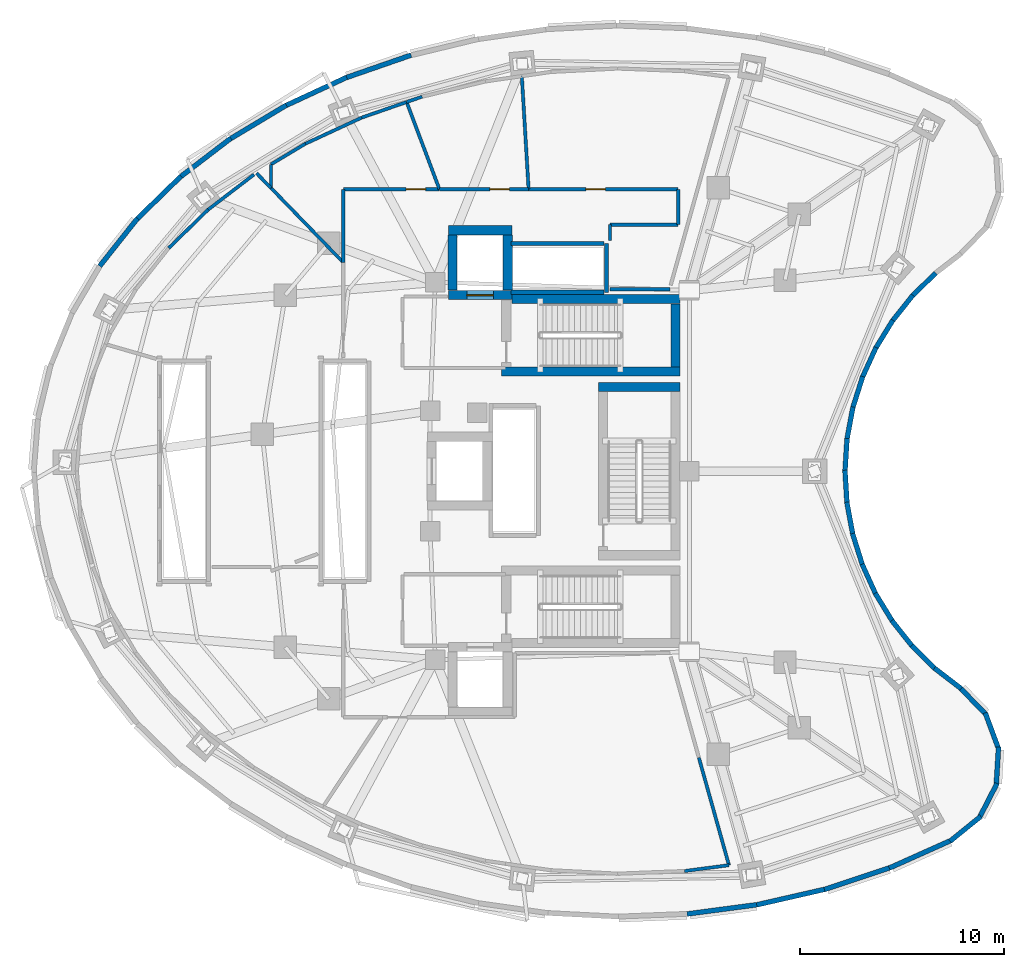
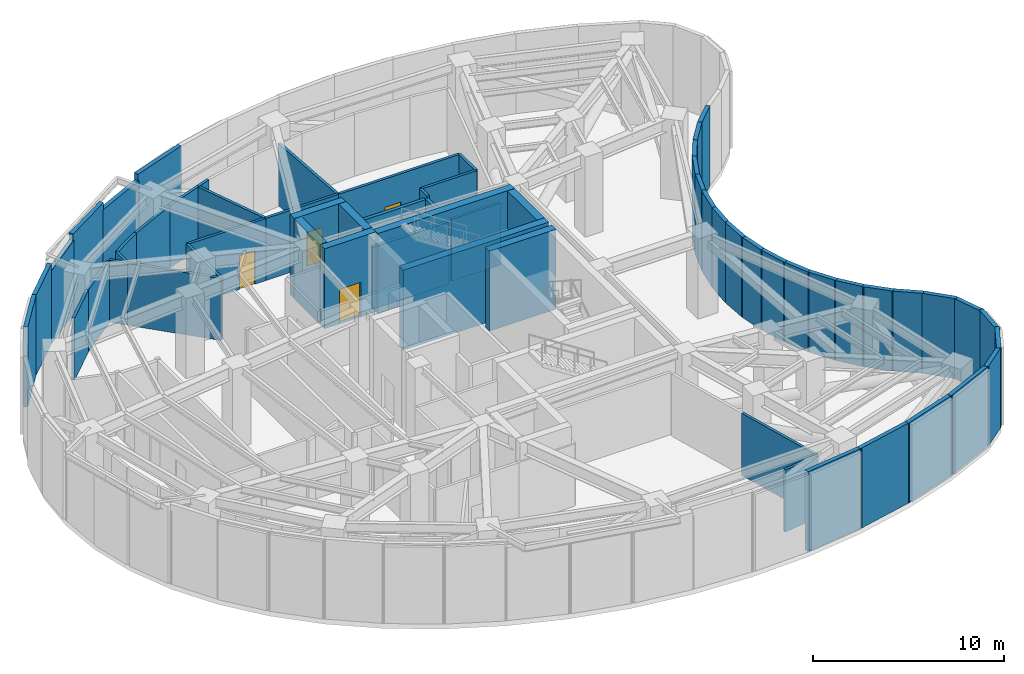
# One storey, part 6 of 10: 62 walls, 4 doors, 4 openings.
"""IFC4 building model written with IfcOpenShell, lengths in metres."""

from ifc_helpers import new_model, si_unit, direction, frame, frame_2d, origin, place, context, subcontext, project, spatial, rectangle, extrude, material, layer, layer_set, type_object, element, fill, save


model = new_model("IFC4")

# Units and contexts
model_context = context("Model", 3, precision=1e-05, world=origin(), true_north=direction((0.0, 1.0)))
body_context = subcontext(model_context, "Body", "Model", "MODEL_VIEW")
ifc_project = project(units=[si_unit("LENGTHUNIT", "METRE"), si_unit("AREAUNIT", "SQUARE_METRE"), si_unit("VOLUMEUNIT", "CUBIC_METRE"), si_unit("PLANEANGLEUNIT", "RADIAN"), si_unit("MASSUNIT", "GRAM", prefix="KILO")], contexts=[model_context])

# Site, building, storey
site_placement = place(None, origin())
site = spatial("IfcSite", under=ifc_project, at=site_placement, CompositionType="ELEMENT")
building_placement = place(site_placement, origin())
building = spatial("IfcBuilding", under=site, at=building_placement, Name="Korentha Bioscience Tower", CompositionType="ELEMENT")
storey_placement = place(building_placement, frame((0.0, 0.0, 84.60009765625)))
storey = spatial("IfcBuildingStorey", under=building, at=storey_placement, Name="L19", CompositionType="ELEMENT", Elevation=84.60009765625)

# Wall, opening, door
ifc_material_1 = material(Name="Gypsum-Clad Steel Stud", Category="steel")
ifc_layer_1 = layer(ifc_material_1, 0.159912109375, Name="Gypsum-Clad Steel Stud")
ifc_layer_set_1 = layer_set([ifc_layer_1], Name="Gypsum-Clad Steel Stud (IW-C160)")
wall_type_1 = type_object("IfcWallType", Name="Fire-Rated Corridor Partition Wall 160", PredefinedType="PARTITIONING", material=ifc_layer_set_1)
wall_1_placement = place(storey_placement, frame((37.0, 40.81005859375, 0.0), z_axis=(0.0, 0.0, 1.0), x_axis=(-1.0, 0.0, 0.0)))
wall_1 = element("IfcWall", 1, at=wall_1_placement, inside=storey, type_object=wall_type_1, Name="L19 Domestic and Fire Booster Water Pump Plant 03 Entrance Wall", PredefinedType="PARTITIONING", context=body_context, shape_type="SweptSolid", body=[
    extrude(rectangle(XDim=7.325927734375, YDim=0.159912109375, at=frame_2d((3.6630859375, 0.0))), origin(), (0.0, 0.0, 1.0), 3.9599609375),
])
opening_1_placement = place(wall_1_placement, frame((3.570068359375, 0.0, 0.0)))
opening_1 = element("IfcOpeningElement", 2, at=opening_1_placement, cuts=wall_1, Name="Opening FD-120D", PredefinedType="OPENING", context=body_context, shape_type="SweptSolid", body=[
    extrude(rectangle(XDim=0.949951171875, YDim=2.14990234375, at=frame_2d((0.47509765625, 1.074951171875))), frame((0.0, 0.0947265625, 0.0), z_axis=(0.0, -1.0, 0.0), x_axis=(1.0, 0.0, 0.0)), (0.0, 0.0, 1.0), 0.189697265625),
])
ifc_material_2 = material(Name="Heavy-Duty Insulated Steel", Category="steel")
door_type_1 = type_object("IfcDoorType", Name="Plant & Riser Fire Door 950x2150 Left", OperationType="SINGLE_SWING_LEFT", PredefinedType="DOOR", material=ifc_material_2)
door_1_placement = place(opening_1_placement, origin())
door_1 = element("IfcDoor", 3, at=door_1_placement, inside=storey, type_object=door_type_1, Name="L19 Domestic and Fire Booster Water Pump Plant 03 Door", OperationType="SINGLE_SWING_LEFT", OverallHeight=2.14990234375, OverallWidth=0.949951171875, PredefinedType="DOOR", context=body_context, shape_type="SweptSolid", body=[
    extrude(rectangle(XDim=0.949951171875, YDim=2.14990234375, at=frame_2d((0.47509765625, 1.074951171875))), frame((0.0, 0.02490234375, 0.0), z_axis=(0.0, -1.0, 0.0), x_axis=(1.0, 0.0, 0.0)), (0.0, 0.0, 1.0), 0.050048828125),
])
fill(opening_1, door_1)

wall_2_placement = place(storey_placement, frame((29.6640625, 40.81005859375, 0.0), z_axis=(0.0, 0.0, 1.0), x_axis=(-1.0, 0.0, 0.0)))
wall_2 = element("IfcWall", 4, at=wall_2_placement, inside=storey, type_object=wall_type_1, Name="L19 Refuge Safe Holding Room Entrance Wall", PredefinedType="PARTITIONING", context=body_context, shape_type="SweptSolid", body=[
    extrude(rectangle(XDim=4.359130859375, YDim=0.159912109375, at=frame_2d((2.1796875, 0.0))), origin(), (0.0, 0.0, 1.0), 3.9599609375),
])
opening_2_placement = place(wall_2_placement, frame((0.93408203125, 0.0, 0.0)))
opening_2 = element("IfcOpeningElement", 5, at=opening_2_placement, cuts=wall_2, Name="Opening FD-120D", PredefinedType="OPENING", context=body_context, shape_type="SweptSolid", body=[
    extrude(rectangle(XDim=0.949951171875, YDim=2.14990234375, at=frame_2d((0.47509765625, 1.074951171875))), frame((0.0, 0.0947265625, 0.0), z_axis=(0.0, -1.0, 0.0), x_axis=(1.0, 0.0, 0.0)), (0.0, 0.0, 1.0), 0.189697265625),
])
door_2_placement = place(opening_2_placement, origin())
door_2 = element("IfcDoor", 6, at=door_2_placement, inside=storey, type_object=door_type_1, Name="L19 Refuge Safe Holding Room Door", OperationType="SINGLE_SWING_LEFT", OverallHeight=2.14990234375, OverallWidth=0.949951171875, PredefinedType="DOOR", context=body_context, shape_type="SweptSolid", body=[
    extrude(rectangle(XDim=0.949951171875, YDim=2.14990234375, at=frame_2d((0.47509765625, 1.074951171875))), frame((0.0, 0.02490234375, 0.0), z_axis=(0.0, -1.0, 0.0), x_axis=(1.0, 0.0, 0.0)), (0.0, 0.0, 1.0), 0.050048828125),
])
fill(opening_2, door_2)

wall_3_placement = place(storey_placement, frame((25.294189453125, 40.81005859375, 0.0), z_axis=(0.0, 0.0, 1.0), x_axis=(-1.0, 0.0, 0.0)))
wall_3 = element("IfcWall", 7, at=wall_3_placement, inside=storey, type_object=wall_type_1, Name="L19 Medium-Voltage Transformer Electrical Switch Plant 05 Entrance Wall", PredefinedType="PARTITIONING", context=body_context, shape_type="SweptSolid", body=[
    extrude(rectangle(XDim=4.694091796875, YDim=0.159912109375, at=frame_2d((2.34716796875, 0.0))), origin(), (0.0, 0.0, 1.0), 3.9599609375),
])
opening_3_placement = place(wall_3_placement, frame((0.664306640625, 0.0, 0.0)))
opening_3 = element("IfcOpeningElement", 8, at=opening_3_placement, cuts=wall_3, Name="Opening FD-120D", PredefinedType="OPENING", context=body_context, shape_type="SweptSolid", body=[
    extrude(rectangle(XDim=0.949951171875, YDim=2.14990234375, at=frame_2d((0.47509765625, 1.074951171875))), frame((0.0, 0.0947265625, 0.0), z_axis=(0.0, -1.0, 0.0), x_axis=(1.0, 0.0, 0.0)), (0.0, 0.0, 1.0), 0.189697265625),
])
door_3_placement = place(opening_3_placement, origin())
door_3 = element("IfcDoor", 9, at=door_3_placement, inside=storey, type_object=door_type_1, Name="L19 Medium-Voltage Transformer Electrical Switch Plant 05 Door", OperationType="SINGLE_SWING_LEFT", OverallHeight=2.14990234375, OverallWidth=0.949951171875, PredefinedType="DOOR", context=body_context, shape_type="SweptSolid", body=[
    extrude(rectangle(XDim=0.949951171875, YDim=2.14990234375, at=frame_2d((0.47509765625, 1.074951171875))), frame((0.0, 0.02490234375, 0.0), z_axis=(0.0, -1.0, 0.0), x_axis=(1.0, 0.0, 0.0)), (0.0, 0.0, 1.0), 0.050048828125),
])
fill(opening_3, door_3)

# Walls
wall_4_placement = place(storey_placement, frame((38.015380859375, 12.96142578125, 0.0), z_axis=(0.0, 0.0, 1.0), x_axis=(0.269459423955, -0.963011743875, 0.0)))
element("IfcWall", 10, at=wall_4_placement, inside=storey, type_object=wall_type_1, Name="L19 Interior Partition 035", PredefinedType="PARTITIONING", context=body_context, shape_type="SweptSolid", body=[
    extrude(rectangle(XDim=5.470703125, YDim=0.159912109375, at=frame_2d((2.7353515625, 0.0))), origin(), (0.0, 0.0, 1.0), 3.9599609375),
])
wall_5_placement = place(storey_placement, frame((39.489501953125, 7.693115234375, 0.0), z_axis=(0.0, 0.0, 1.0), x_axis=(-0.991360288821, -0.131166984214, 0.0)))
element("IfcWall", 11, at=wall_5_placement, inside=storey, type_object=wall_type_1, Name="L19 Interior Partition 036", PredefinedType="PARTITIONING", context=body_context, shape_type="SweptSolid", body=[
    extrude(rectangle(XDim=2.1982421875, YDim=0.159912109375, at=frame_2d((1.09912109375, 0.0))), origin(), (0.0, 0.0, 1.0), 3.9599609375),
])
wall_6_placement = place(storey_placement, frame((36.602294921875, 35.909912109375, 0.0), z_axis=(0.0, 0.0, 1.0), x_axis=(-1.0, 0.0, 0.0)))
element("IfcWall", 12, at=wall_6_placement, inside=storey, type_object=wall_type_1, Name="L19 Interior Partition 048", PredefinedType="PARTITIONING", context=body_context, shape_type="SweptSolid", body=[
    extrude(rectangle(XDim=2.952392578125, YDim=0.159912109375, at=frame_2d((1.47607421875, 0.0))), origin(), (0.0, 0.0, 1.0), 3.9599609375),
])
wall_7_placement = place(storey_placement, frame((33.659912109375, 38.2900390625, 0.0), z_axis=(0.0, 0.0, 1.0), x_axis=(0.0, 1.0, 0.0)))
element("IfcWall", 13, at=wall_7_placement, inside=storey, type_object=wall_type_1, Name="L19 Interior Partition 049", PredefinedType="PARTITIONING", context=body_context, shape_type="SweptSolid", body=[
    extrude(rectangle(XDim=0.780029296875, YDim=0.159912109375, at=frame_2d((0.39013671875, 0.0))), origin(), (0.0, 0.0, 1.0), 3.9599609375),
])
wall_8_placement = place(storey_placement, frame((33.659912109375, 39.070068359375, 0.0), z_axis=(0.0, 0.0, 1.0), x_axis=(1.0, 0.0, 0.0)))
element("IfcWall", 14, at=wall_8_placement, inside=storey, type_object=wall_type_1, Name="L19 Interior Partition 050", PredefinedType="PARTITIONING", context=body_context, shape_type="SweptSolid", body=[
    extrude(rectangle(XDim=3.340087890625, YDim=0.159912109375, at=frame_2d((1.669921875, 0.0))), origin(), (0.0, 0.0, 1.0), 3.9599609375),
])
wall_9_placement = place(storey_placement, frame((37.010009765625, 39.080078125, 0.0), z_axis=(0.0, 0.0, 1.0), x_axis=(0.0, 1.0, 0.0)))
element("IfcWall", 15, at=wall_9_placement, inside=storey, type_object=wall_type_1, Name="L19 Interior Partition 051", PredefinedType="PARTITIONING", context=body_context, shape_type="SweptSolid", body=[
    extrude(rectangle(XDim=1.719970703125, YDim=0.159912109375, at=frame_2d((0.85986328125, 0.0))), origin(), (0.0, 0.0, 1.0), 3.9599609375),
])
wall_10_placement = place(storey_placement, frame((29.674072265625, 40.81005859375, 0.0), z_axis=(0.0, 0.0, 1.0), x_axis=(-0.059828293561, 0.998208683237, 0.0)))
element("IfcWall", 16, at=wall_10_placement, inside=storey, type_object=wall_type_1, Name="L19 Interior Partition 052", PredefinedType="PARTITIONING", context=body_context, shape_type="SweptSolid", body=[
    extrude(rectangle(XDim=5.5498046875, YDim=0.159912109375, at=frame_2d((2.77490234375, 0.0))), origin(), (0.0, 0.0, 1.0), 3.9599609375),
])
wall_11_placement = place(storey_placement, frame((25.304931640625, 40.81005859375, 0.0), z_axis=(0.0, 0.0, 1.0), x_axis=(-0.352231602854, 0.935912868781, 0.0)))
element("IfcWall", 17, at=wall_11_placement, inside=storey, type_object=wall_type_1, Name="L19 Interior Partition 056", PredefinedType="PARTITIONING", context=body_context, shape_type="SweptSolid", body=[
    extrude(rectangle(XDim=4.562255859375, YDim=0.159912109375, at=frame_2d((2.28125, 0.0))), origin(), (0.0, 0.0, 1.0), 3.9599609375),
])
wall_12_placement = place(storey_placement, frame((23.697998046875, 45.079833984375, 0.0), z_axis=(0.0, 0.0, 1.0), x_axis=(0.944804754022, 0.327633906637, 0.0)))
element("IfcWall", 18, at=wall_12_placement, inside=storey, type_object=wall_type_1, Name="L19 Interior Partition 057", PredefinedType="PARTITIONING", context=body_context, shape_type="SweptSolid", body=[
    extrude(rectangle(XDim=0.801025390625, YDim=0.159912109375, at=frame_2d((0.400390625, 0.0))), origin(), (0.0, 0.0, 1.0), 3.9599609375),
])
wall_13_placement = place(storey_placement, frame((21.4990234375, 44.31787109375, 0.0), z_axis=(0.0, 0.0, 1.0), x_axis=(0.944877053464, 0.327425340859, 0.0)))
element("IfcWall", 19, at=wall_13_placement, inside=storey, type_object=wall_type_1, Name="L19 Interior Partition 059", PredefinedType="PARTITIONING", context=body_context, shape_type="SweptSolid", body=[
    extrude(rectangle(XDim=2.3173828125, YDim=0.159912109375, at=frame_2d((1.15869140625, 0.0))), origin(), (0.0, 0.0, 1.0), 3.9599609375),
])
wall_14_placement = place(storey_placement, frame((20.590087890625, 40.800048828125, 0.0), z_axis=(0.0, 0.0, 1.0), x_axis=(0.0, -1.0, 0.0)))
element("IfcWall", 20, at=wall_14_placement, inside=storey, type_object=wall_type_1, Name="L19 Interior Partition 060", PredefinedType="PARTITIONING", context=body_context, shape_type="SweptSolid", body=[
    extrude(rectangle(XDim=3.576416015625, YDim=0.159912109375, at=frame_2d((1.7880859375, 0.0))), origin(), (0.0, 0.0, 1.0), 3.9599609375),
])
wall_15_placement = place(storey_placement, frame((20.590087890625, 37.2236328125, 0.0), z_axis=(0.0, 0.0, 1.0), x_axis=(-0.696094823364, 0.717949856805, 0.0)))
element("IfcWall", 21, at=wall_15_placement, inside=storey, type_object=wall_type_1, Name="L19 Interior Partition 061", PredefinedType="PARTITIONING", context=body_context, shape_type="SweptSolid", body=[
    extrude(rectangle(XDim=5.082763671875, YDim=0.159912109375, at=frame_2d((2.54150390625, 0.0))), origin(), (0.0, 0.0, 1.0), 3.9599609375),
])
wall_16_placement = place(storey_placement, frame((17.052001953125, 40.872802734375, 0.0), z_axis=(0.0, 0.0, 1.0), x_axis=(0.0, 1.0, 0.0)))
element("IfcWall", 22, at=wall_16_placement, inside=storey, type_object=wall_type_1, Name="L19 Interior Partition 062", PredefinedType="PARTITIONING", context=body_context, shape_type="SweptSolid", body=[
    extrude(rectangle(XDim=1.153076171875, YDim=0.159912109375, at=frame_2d((0.57666015625, 0.0))), origin(), (0.0, 0.0, 1.0), 3.9599609375),
])
wall_17_placement = place(storey_placement, frame((17.052001953125, 42.02587890625, 0.0), z_axis=(0.0, 0.0, 1.0), x_axis=(0.857525745267, 0.514441052214, 0.0)))
element("IfcWall", 23, at=wall_17_placement, inside=storey, type_object=wall_type_1, Name="L19 Interior Partition 063", PredefinedType="PARTITIONING", context=body_context, shape_type="SweptSolid", body=[
    extrude(rectangle(XDim=1.968994140625, YDim=0.159912109375, at=frame_2d((0.984375, 0.0))), origin(), (0.0, 0.0, 1.0), 3.9599609375),
])
wall_18_placement = place(storey_placement, frame((18.740478515625, 43.038818359375, 0.0), z_axis=(0.0, 0.0, 1.0), x_axis=(0.907222430233, 0.420651235684, 0.0)))
element("IfcWall", 24, at=wall_18_placement, inside=storey, type_object=wall_type_1, Name="L19 Interior Partition 064", PredefinedType="PARTITIONING", context=body_context, shape_type="SweptSolid", body=[
    extrude(rectangle(XDim=3.04052734375, YDim=0.159912109375, at=frame_2d((1.520263671875, 0.0))), origin(), (0.0, 0.0, 1.0), 3.9599609375),
])
wall_19_placement = place(storey_placement, frame((12.039306640625, 37.923828125, 0.0), z_axis=(0.0, 0.0, 1.0), x_axis=(0.716117399469, 0.697979849407, 0.0)))
element("IfcWall", 25, at=wall_19_placement, inside=storey, type_object=wall_type_1, Name="L19 Interior Partition 068", PredefinedType="PARTITIONING", context=body_context, shape_type="SweptSolid", body=[
    extrude(rectangle(XDim=2.70556640625, YDim=0.159912109375, at=frame_2d((1.352783203125, 0.0))), origin(), (0.0, 0.0, 1.0), 3.9599609375),
])
wall_20_placement = place(storey_placement, frame((13.977294921875, 39.8125, 0.0), z_axis=(0.0, 0.0, 1.0), x_axis=(0.794468240787, 0.607305700928, 0.0)))
element("IfcWall", 26, at=wall_20_placement, inside=storey, type_object=wall_type_1, Name="L19 Interior Partition 069", PredefinedType="PARTITIONING", context=body_context, shape_type="SweptSolid", body=[
    extrude(rectangle(XDim=2.823974609375, YDim=0.159912109375, at=frame_2d((1.412109375, 0.0))), origin(), (0.0, 0.0, 1.0), 3.9599609375),
])
wall_21_placement = place(storey_placement, frame((16.341552734375, 41.599609375, 0.0), z_axis=(0.0, 0.0, 1.0), x_axis=(0.696104152684, -0.71794081136, 0.0)))
element("IfcWall", 27, at=wall_21_placement, inside=storey, type_object=wall_type_1, Name="L19 Interior Partition 070", PredefinedType="PARTITIONING", context=body_context, shape_type="SweptSolid", body=[
    extrude(rectangle(XDim=1.00634765625, YDim=0.159912109375, at=frame_2d((0.503173828125, 0.0))), origin(), (0.0, 0.0, 1.0), 3.9599609375),
])
ifc_material_3 = material(Name="Autoclaved Aerated Concrete Block C25", Category="concrete")
ifc_layer_2 = layer(ifc_material_3, 0.199951171875, Name="Autoclaved Aerated Concrete Block C25")
ifc_layer_set_2 = layer_set([ifc_layer_2], Name="Autoclaved Aerated Concrete Block C25 (IW-S200)")
wall_type_2 = type_object("IfcWallType", Name="Lift and Riser Shaft Enclosure Wall 200", PredefinedType="PARTITIONING", material=ifc_layer_set_2)
wall_22_placement = place(storey_placement, frame((33.489990234375, 35.760009765625, 0.0), z_axis=(0.0, 0.0, 1.0), x_axis=(0.0, 1.0, 0.0)))
element("IfcWall", 28, at=wall_22_placement, inside=storey, type_object=wall_type_2, Name="L19 Lift Bank OBS Shaft Wall +X", PredefinedType="PARTITIONING", context=body_context, shape_type="SweptSolid", body=[
    extrude(rectangle(XDim=2.3798828125, YDim=0.199951171875, at=frame_2d((1.18994140625, 0.0))), origin(), (0.0, 0.0, 1.0), 3.9599609375),
])
for number, where, z_axis, x_axis, name in (
    (29, (28.800048828125, 35.760009765625, 0.0), (0.0, 0.0, 1.0), (1.0, 0.0, 0.0), "L19 Lift Bank OBS Shaft Wall -Y"),
    (30, (28.800048828125, 38.139892578125, 0.0), (0.0, 0.0, 1.0), (1.0, 0.0, 0.0), "L19 Lift Bank OBS Shaft Wall +Y"),
):
    element("IfcWall", number, at=place(storey_placement, frame(where, z_axis=z_axis, x_axis=x_axis)), inside=storey, type_object=wall_type_2, Name=name, PredefinedType="PARTITIONING", context=body_context, shape_type="SweptSolid", body=[
        extrude(rectangle(XDim=4.570068359375, YDim=0.199951171875, at=frame_2d((2.28515625, 0.0))), origin(), (0.0, 0.0, 1.0), 3.9599609375),
    ])
ifc_material_4 = material(Name="Concrete C80", Category="concrete")
ifc_layer_3 = layer(ifc_material_4, 0.449951171875, Name="Concrete C80")
ifc_layer_set_3 = layer_set([ifc_layer_3], Name="Concrete C80 (CW-C80)")
wall_type_3 = type_object("IfcWallType", Name="Lower Core Shear Wall 450", PredefinedType="SHEAR", material=ifc_layer_set_3)
wall_23_placement = place(storey_placement, frame((28.85205078125, 35.425048828125, 0.0), z_axis=(0.0, 0.0, 1.0), x_axis=(1.0, 0.0, 0.0)))
element("IfcWall", 31, at=wall_23_placement, inside=storey, type_object=wall_type_3, Name="L19 Core Shear Wall ST1-N", PredefinedType="SHEAR", context=body_context, shape_type="SweptSolid", body=[
    extrude(rectangle(XDim=8.248046875, YDim=0.449951171875, at=frame_2d((4.1240234375, 0.0))), origin(), (0.0, 0.0, 1.0), 5.099853515625),
])
wall_24_placement = place(storey_placement, frame((28.35009765625, 31.875, 0.0), z_axis=(0.0, 0.0, 1.0), x_axis=(1.0, 0.0, 0.0)))
element("IfcWall", 32, at=wall_24_placement, inside=storey, type_object=wall_type_3, Name="L19 Core Shear Wall ST1-S", PredefinedType="SHEAR", context=body_context, shape_type="SweptSolid", body=[
    extrude(rectangle(XDim=8.75, YDim=0.449951171875, at=frame_2d((4.375, 0.0))), origin(), (0.0, 0.0, 1.0), 5.099853515625),
])
wall_25_placement = place(storey_placement, frame((36.875, 32.110107421875, 0.0), z_axis=(0.0, 0.0, 1.0), x_axis=(0.0, 1.0, 0.0)))
element("IfcWall", 33, at=wall_25_placement, inside=storey, type_object=wall_type_3, Name="L19 Core Shear Wall ST1-E", PredefinedType="SHEAR", context=body_context, shape_type="SweptSolid", body=[
    extrude(rectangle(XDim=3.079833984375, YDim=0.449951171875, at=frame_2d((1.5400390625, 0.0))), origin(), (0.0, 0.0, 1.0), 5.099853515625),
])
wall_26_placement = place(storey_placement, frame((33.10009765625, 31.125, 0.0), z_axis=(0.0, 0.0, 1.0), x_axis=(1.0, 0.0, 0.0)))
element("IfcWall", 34, at=wall_26_placement, inside=storey, type_object=wall_type_3, Name="L19 Core Shear Wall ST3-N", PredefinedType="SHEAR", context=body_context, shape_type="SweptSolid", body=[
    extrude(rectangle(XDim=4.0, YDim=0.449951171875, at=frame_2d((2.0, 0.0))), origin(), (0.0, 0.0, 1.0), 5.099853515625),
])
wall_27_placement = place(storey_placement, frame((25.75, 38.800048828125, 0.0), z_axis=(0.0, 0.0, 1.0), x_axis=(1.0, 0.0, 0.0)))
element("IfcWall", 35, at=wall_27_placement, inside=storey, type_object=wall_type_3, Name="L19 Core Shear Wall FFL2-N", PredefinedType="SHEAR", context=body_context, shape_type="SweptSolid", body=[
    extrude(rectangle(XDim=3.10009765625, YDim=0.449951171875, at=frame_2d((1.550048828125, 0.0))), origin(), (0.0, 0.0, 1.0), 5.099853515625),
])

# Wall, opening, door
wall_28_placement = place(storey_placement, frame((25.75, 35.6201171875, 0.0), z_axis=(0.0, 0.0, 1.0), x_axis=(1.0, 0.0, 0.0)))
wall_28 = element("IfcWall", 36, at=wall_28_placement, inside=storey, type_object=wall_type_3, Name="L19 Core Shear Wall FFL2-S", PredefinedType="SHEAR", context=body_context, shape_type="SweptSolid", body=[
    extrude(rectangle(XDim=3.10009765625, YDim=0.449951171875, at=frame_2d((1.550048828125, 0.0))), origin(), (0.0, 0.0, 1.0), 5.099853515625),
])
opening_4_placement = place(wall_28_placement, frame((0.89990234375, 0.0, 0.0)))
opening_4 = element("IfcOpeningElement", 37, at=opening_4_placement, cuts=wall_28, Name="Opening LD-13", PredefinedType="OPENING", context=body_context, shape_type="SweptSolid", body=[
    extrude(rectangle(XDim=1.300048828125, YDim=2.199951171875, at=frame_2d((0.64990234375, 1.10009765625))), frame((0.0, 0.23974609375, 0.0), z_axis=(0.0, -1.0, 0.0), x_axis=(1.0, 0.0, 0.0)), (0.0, 0.0, 1.0), 0.479736328125),
])
ifc_material_5 = material(Name="Brushed Stainless Steel 316", Category="steel")
door_type_2 = type_object("IfcDoorType", Name="Service & Firefighting Lift Landing Door 1300x2300", OperationType="DOUBLE_DOOR_SLIDING", PredefinedType="DOOR", material=ifc_material_5)
door_4_placement = place(opening_4_placement, origin())
door_4 = element("IfcDoor", 38, at=door_4_placement, inside=storey, type_object=door_type_2, Name="L19 FFL-2 Sliding Lift Landing Door", OperationType="DOUBLE_DOOR_SLIDING", OverallHeight=2.199951171875, OverallWidth=1.300048828125, PredefinedType="DOOR", context=body_context, shape_type="SweptSolid", body=[
    extrude(rectangle(XDim=1.300048828125, YDim=2.199951171875, at=frame_2d((0.64990234375, 1.10009765625))), frame((0.0, 0.02490234375, 0.0), z_axis=(0.0, -1.0, 0.0), x_axis=(1.0, 0.0, 0.0)), (0.0, 0.0, 1.0), 0.050048828125),
])
fill(opening_4, door_4)

# Walls
for number, where, z_axis, x_axis, name in (
    (39, (25.949951171875, 35.860107421875, 0.0), (0.0, 0.0, 1.0), (0.0, 1.0, 0.0), "L19 Core Shear Wall FFL2-W"),
    (40, (28.64990234375, 35.860107421875, 0.0), (0.0, 0.0, 1.0), (0.0, 1.0, 0.0), "L19 Core Shear Wall FFL2-E"),
):
    element("IfcWall", number, at=place(storey_placement, frame(where, z_axis=z_axis, x_axis=x_axis)), inside=storey, type_object=wall_type_3, Name=name, PredefinedType="SHEAR", context=body_context, shape_type="SweptSolid", body=[
        extrude(rectangle(XDim=2.699951171875, YDim=0.449951171875, at=frame_2d((1.35009765625, 0.0))), origin(), (0.0, 0.0, 1.0), 5.099853515625),
    ])
ifc_material_6 = material(Name="Insulated Precast Concrete C40", Category="concrete")
ifc_layer_4 = layer(ifc_material_6, 0.239990234375, Name="Insulated Precast Concrete C40")
ifc_layer_set_4 = layer_set([ifc_layer_4], Name="Insulated Precast Concrete C40 (EW-PL240)")
wall_type_4 = type_object("IfcWallType", Name="Plant Acoustic Louvre Backup Wall 240", PredefinedType="STANDARD", material=ifc_layer_set_4)
wall_29_placement = place(storey_placement, frame((23.915771484375, 47.3779296875, 0.0), z_axis=(0.0, 0.0, 1.0), x_axis=(-0.944863079672, -0.327465663349, 0.0)))
element("IfcWall", 41, at=wall_29_placement, inside=storey, type_object=wall_type_4, Name="L19 Plant Louvre Backup Wall 09", PredefinedType="STANDARD", context=body_context, shape_type="SweptSolid", body=[
    extrude(rectangle(XDim=3.447509765625, YDim=0.239990234375, at=frame_2d((1.7236328125, 0.0))), origin(), (0.0, 0.0, 1.0), 5.099853515625),
])
wall_30_placement = place(storey_placement, frame((20.76220703125, 46.291015625, 0.0), z_axis=(0.0, 0.0, 1.0), x_axis=(-0.907209471649, -0.420679182454, 0.0)))
element("IfcWall", 42, at=wall_30_placement, inside=storey, type_object=wall_type_4, Name="L19 Plant Louvre Backup Wall 10", PredefinedType="STANDARD", context=body_context, shape_type="SweptSolid", body=[
    extrude(rectangle(XDim=3.3701171875, YDim=0.239990234375, at=frame_2d((1.68505859375, 0.0))), origin(), (0.0, 0.0, 1.0), 4.669921875),
])
wall_31_placement = place(storey_placement, frame((17.804443359375, 44.92578125, 0.0), z_axis=(0.0, 0.0, 1.0), x_axis=(-0.857617674496, -0.51428778363, 0.0)))
element("IfcWall", 43, at=wall_31_placement, inside=storey, type_object=wall_type_4, Name="L19 Plant Louvre Backup Wall 11", PredefinedType="STANDARD", context=body_context, shape_type="SweptSolid", body=[
    extrude(rectangle(XDim=3.2802734375, YDim=0.239990234375, at=frame_2d((1.64013671875, 0.0))), origin(), (0.0, 0.0, 1.0), 5.099853515625),
])
wall_32_placement = place(storey_placement, frame((15.0849609375, 43.302490234375, 0.0), z_axis=(0.0, 0.0, 1.0), x_axis=(-0.7944993285, -0.607265030289, 0.0)))
element("IfcWall", 44, at=wall_32_placement, inside=storey, type_object=wall_type_4, Name="L19 Plant Louvre Backup Wall 12", PredefinedType="STANDARD", context=body_context, shape_type="SweptSolid", body=[
    extrude(rectangle(XDim=3.182861328125, YDim=0.239990234375, at=frame_2d((1.59130859375, 0.0))), origin(), (0.0, 0.0, 1.0), 4.669921875),
])
wall_33_placement = place(storey_placement, frame((12.642578125, 41.4443359375, 0.0), z_axis=(0.0, 0.0, 1.0), x_axis=(-0.716118916223, -0.697978293235, 0.0)))
element("IfcWall", 45, at=wall_33_placement, inside=storey, type_object=wall_type_4, Name="L19 Plant Louvre Backup Wall 13", PredefinedType="STANDARD", context=body_context, shape_type="SweptSolid", body=[
    extrude(rectangle(XDim=3.08203125, YDim=0.239990234375, at=frame_2d((1.541015625, 0.0))), origin(), (0.0, 0.0, 1.0), 5.099853515625),
])
wall_34_placement = place(storey_placement, frame((10.5126953125, 39.378662109375, 0.0), z_axis=(0.0, 0.0, 1.0), x_axis=(-0.620956469373, -0.783845050469, 0.0)))
element("IfcWall", 46, at=wall_34_placement, inside=storey, type_object=wall_type_4, Name="L19 Plant Louvre Backup Wall 14", PredefinedType="STANDARD", context=body_context, shape_type="SweptSolid", body=[
    extrude(rectangle(XDim=2.984130859375, YDim=0.239990234375, at=frame_2d((1.4921875, 0.0))), origin(), (0.0, 0.0, 1.0), 5.099853515625),
])
wall_35_placement = place(storey_placement, frame((37.434814453125, 5.302978515625, 0.0), z_axis=(0.0, 0.0, 1.0), x_axis=(0.991370652502, 0.131088631684, 0.0)))
element("IfcWall", 47, at=wall_35_placement, inside=storey, type_object=wall_type_4, Name="L19 Plant Louvre Backup Wall 33", PredefinedType="STANDARD", context=body_context, shape_type="SweptSolid", body=[
    extrude(rectangle(XDim=3.555419921875, YDim=0.239990234375, at=frame_2d((1.77783203125, 0.0))), origin(), (0.0, 0.0, 1.0), 5.099853515625),
])
wall_36_placement = place(storey_placement, frame((40.85009765625, 5.74951171875, 0.0), z_axis=(0.0, 0.0, 1.0), x_axis=(0.974846866826, 0.222875719268, 0.0)))
element("IfcWall", 48, at=wall_36_placement, inside=storey, type_object=wall_type_4, Name="L19 Plant Louvre Backup Wall 34", PredefinedType="STANDARD", context=body_context, shape_type="SweptSolid", body=[
    extrude(rectangle(XDim=3.51513671875, YDim=0.239990234375, at=frame_2d((1.757568359375, 0.0))), origin(), (0.0, 0.0, 1.0), 5.099853515625),
])
wall_37_placement = place(storey_placement, frame((44.16943359375, 6.5029296875, 0.0), z_axis=(0.0, 0.0, 1.0), x_axis=(0.948958428437, 0.315401174853, 0.0)))
element("IfcWall", 49, at=wall_37_placement, inside=storey, type_object=wall_type_4, Name="L19 Plant Louvre Backup Wall 35", PredefinedType="STANDARD", context=body_context, shape_type="SweptSolid", body=[
    extrude(rectangle(XDim=3.456298828125, YDim=0.239990234375, at=frame_2d((1.72802734375, 0.0))), origin(), (0.0, 0.0, 1.0), 5.099853515625),
])
wall_38_placement = place(storey_placement, frame((47.344970703125, 7.552490234375, 0.0), z_axis=(0.0, 0.0, 1.0), x_axis=(0.912652411526, 0.408736560313, 0.0)))
element("IfcWall", 50, at=wall_38_placement, inside=storey, type_object=wall_type_4, Name="L19 Plant Louvre Backup Wall 36", PredefinedType="STANDARD", context=body_context, shape_type="SweptSolid", body=[
    extrude(rectangle(XDim=3.380859375, YDim=0.239990234375, at=frame_2d((1.6904296875, 0.0))), origin(), (0.0, 0.0, 1.0), 5.099853515625),
])
wall_39_placement = place(storey_placement, frame((50.319580078125, 8.8662109375, 0.0), z_axis=(0.0, 0.0, 1.0), x_axis=(0.777365171623, 0.629049592598, 0.0)))
element("IfcWall", 51, at=wall_39_placement, inside=storey, type_object=wall_type_4, Name="L19 Plant Louvre Backup Wall 37", PredefinedType="STANDARD", context=body_context, shape_type="SweptSolid", body=[
    extrude(rectangle(XDim=1.9375, YDim=0.239990234375, at=frame_2d((0.96875, 0.0))), origin(), (0.0, 0.0, 1.0), 5.099853515625),
])
wall_40_placement = place(storey_placement, frame((51.732666015625, 9.970703125, 0.0), z_axis=(0.0, 0.0, 1.0), x_axis=(0.457615600141, 0.889150134965, 0.0)))
element("IfcWall", 52, at=wall_40_placement, inside=storey, type_object=wall_type_4, Name="L19 Plant Louvre Backup Wall 38", PredefinedType="STANDARD", context=body_context, shape_type="SweptSolid", body=[
    extrude(rectangle(XDim=1.937744140625, YDim=0.239990234375, at=frame_2d((0.96875, 0.0))), origin(), (0.0, 0.0, 1.0), 5.099853515625),
])
wall_41_placement = place(storey_placement, frame((52.580322265625, 11.551513671875, 0.0), z_axis=(0.0, 0.0, 1.0), x_axis=(0.060236336379, 0.998184143222, 0.0)))
element("IfcWall", 53, at=wall_41_placement, inside=storey, type_object=wall_type_4, Name="L19 Plant Louvre Backup Wall 39", PredefinedType="STANDARD", context=body_context, shape_type="SweptSolid", body=[
    extrude(rectangle(XDim=1.937255859375, YDim=0.239990234375, at=frame_2d((0.96875, 0.0))), origin(), (0.0, 0.0, 1.0), 5.099853515625),
])
for number, where, z_axis, x_axis, name in (
    (54, (52.718505859375, 13.339599609375, 0.0), (0.0, 0.0, 1.0), (-0.347281523282, 0.937760920271, 0.0), "L19 Plant Louvre Backup Wall 40"),
    (55, (52.1240234375, 15.031982421875, 0.0), (0.0, 0.0, 1.0), (-0.696059242622, 0.717984352727, 0.0), "L19 Plant Louvre Backup Wall 41"),
):
    element("IfcWall", number, at=place(storey_placement, frame(where, z_axis=z_axis, x_axis=x_axis)), inside=storey, type_object=wall_type_4, Name=name, PredefinedType="STANDARD", context=body_context, shape_type="SweptSolid", body=[
        extrude(rectangle(XDim=1.9375, YDim=0.239990234375, at=frame_2d((0.96875, 0.0))), origin(), (0.0, 0.0, 1.0), 5.099853515625),
    ])
wall_42_placement = place(storey_placement, frame((50.863037109375, 16.34521484375, 0.0), z_axis=(0.0, 0.0, 1.0), x_axis=(-0.793365817251, 0.608745168373, 0.0)))
element("IfcWall", 56, at=wall_42_placement, inside=storey, type_object=wall_type_4, Name="L19 Plant Louvre Backup Wall 42", PredefinedType="STANDARD", context=body_context, shape_type="SweptSolid", body=[
    extrude(rectangle(XDim=1.650390625, YDim=0.239990234375, at=frame_2d((0.8251953125, 0.0))), origin(), (0.0, 0.0, 1.0), 5.099853515625),
])
wall_43_placement = place(storey_placement, frame((49.617919921875, 17.294189453125, 0.0), z_axis=(0.0, 0.0, 1.0), x_axis=(-0.713291031187, 0.700867965332, 0.0)))
element("IfcWall", 57, at=wall_43_placement, inside=storey, type_object=wall_type_4, Name="L19 Plant Louvre Backup Wall 43", PredefinedType="STANDARD", context=body_context, shape_type="SweptSolid", body=[
    extrude(rectangle(XDim=1.65087890625, YDim=0.239990234375, at=frame_2d((0.825439453125, 0.0))), origin(), (0.0, 0.0, 1.0), 5.099853515625),
])
for number, where, z_axis, x_axis, name in (
    (58, (48.497314453125, 18.3876953125, 0.0), (0.0, 0.0, 1.0), (-0.622383558621, 0.782712403095, 0.0), "L19 Plant Louvre Backup Wall 44"),
    (59, (47.518798828125, 19.60986328125, 0.0), (0.0, 0.0, 1.0), (-0.522520440272, 0.85262675861, 0.0), "L19 Plant Louvre Backup Wall 45"),
):
    element("IfcWall", number, at=place(storey_placement, frame(where, z_axis=z_axis, x_axis=x_axis)), inside=storey, type_object=wall_type_4, Name=name, PredefinedType="STANDARD", context=body_context, shape_type="SweptSolid", body=[
        extrude(rectangle(XDim=1.650634765625, YDim=0.239990234375, at=frame_2d((0.8251953125, 0.0))), origin(), (0.0, 0.0, 1.0), 5.099853515625),
    ])
wall_44_placement = place(storey_placement, frame((46.696044921875, 20.942138671875, 0.0), z_axis=(0.0, 0.0, 1.0), x_axis=(-0.41461633234, 0.909996317002, 0.0)))
element("IfcWall", 60, at=wall_44_placement, inside=storey, type_object=wall_type_4, Name="L19 Plant Louvre Backup Wall 46", PredefinedType="STANDARD", context=body_context, shape_type="SweptSolid", body=[
    extrude(rectangle(XDim=1.650390625, YDim=0.239990234375, at=frame_2d((0.8251953125, 0.0))), origin(), (0.0, 0.0, 1.0), 5.099853515625),
])
for number, where, z_axis, x_axis, name in (
    (61, (46.042236328125, 22.36474609375, 0.0), (0.0, 0.0, 1.0), (-0.300699531432, 0.953718927041, 0.0), "L19 Plant Louvre Backup Wall 47"),
    (62, (45.56640625, 23.8564453125, 0.0), (0.0, 0.0, 1.0), (-0.182216368843, 0.983258457846, 0.0), "L19 Plant Louvre Backup Wall 48"),
    (63, (45.27587890625, 25.39501953125, 0.0), (0.0, 0.0, 1.0), (-0.060941646145, 0.998141330556, 0.0), "L19 Plant Louvre Backup Wall 49"),
    (64, (45.17529296875, 26.95751953125, 0.0), (0.0, 0.0, 1.0), (0.060941646145, 0.998141330556, 0.0), "L19 Plant Louvre Backup Wall 50"),
    (65, (45.265625, 28.5205078125, 0.0), (0.0, 0.0, 1.0), (0.182216368843, 0.983258457846, 0.0), "L19 Plant Louvre Backup Wall 51"),
    (66, (45.5458984375, 30.06103515625, 0.0), (0.0, 0.0, 1.0), (0.300699531432, 0.953718927041, 0.0), "L19 Plant Louvre Backup Wall 52"),
):
    element("IfcWall", number, at=place(storey_placement, frame(where, z_axis=z_axis, x_axis=x_axis)), inside=storey, type_object=wall_type_4, Name=name, PredefinedType="STANDARD", context=body_context, shape_type="SweptSolid", body=[
        extrude(rectangle(XDim=1.650634765625, YDim=0.239990234375, at=frame_2d((0.8251953125, 0.0))), origin(), (0.0, 0.0, 1.0), 5.099853515625),
    ])
wall_45_placement = place(storey_placement, frame((46.01171875, 31.555908203125, 0.0), z_axis=(0.0, 0.0, 1.0), x_axis=(0.41461633234, 0.909996317002, 0.0)))
element("IfcWall", 67, at=wall_45_placement, inside=storey, type_object=wall_type_4, Name="L19 Plant Louvre Backup Wall 53", PredefinedType="STANDARD", context=body_context, shape_type="SweptSolid", body=[
    extrude(rectangle(XDim=1.650390625, YDim=0.239990234375, at=frame_2d((0.8251953125, 0.0))), origin(), (0.0, 0.0, 1.0), 5.099853515625),
])
for number, where, z_axis, x_axis, name in (
    (68, (46.65625, 32.982666015625, 0.0), (0.0, 0.0, 1.0), (0.522520440272, 0.85262675861, 0.0), "L19 Plant Louvre Backup Wall 54"),
    (69, (47.469970703125, 34.3203125, 0.0), (0.0, 0.0, 1.0), (0.622383558621, 0.782712403095, 0.0), "L19 Plant Louvre Backup Wall 55"),
):
    element("IfcWall", number, at=place(storey_placement, frame(where, z_axis=z_axis, x_axis=x_axis)), inside=storey, type_object=wall_type_4, Name=name, PredefinedType="STANDARD", context=body_context, shape_type="SweptSolid", body=[
        extrude(rectangle(XDim=1.650634765625, YDim=0.239990234375, at=frame_2d((0.8251953125, 0.0))), origin(), (0.0, 0.0, 1.0), 5.099853515625),
    ])
wall_46_placement = place(storey_placement, frame((48.4404296875, 35.548828125, 0.0), z_axis=(0.0, 0.0, 1.0), x_axis=(0.713291031187, 0.700867965332, 0.0)))
element("IfcWall", 70, at=wall_46_placement, inside=storey, type_object=wall_type_4, Name="L19 Plant Louvre Backup Wall 56", PredefinedType="STANDARD", context=body_context, shape_type="SweptSolid", body=[
    extrude(rectangle(XDim=1.65087890625, YDim=0.239990234375, at=frame_2d((0.825439453125, 0.0))), origin(), (0.0, 0.0, 1.0), 5.099853515625),
])

save(model, "model.ifc")
